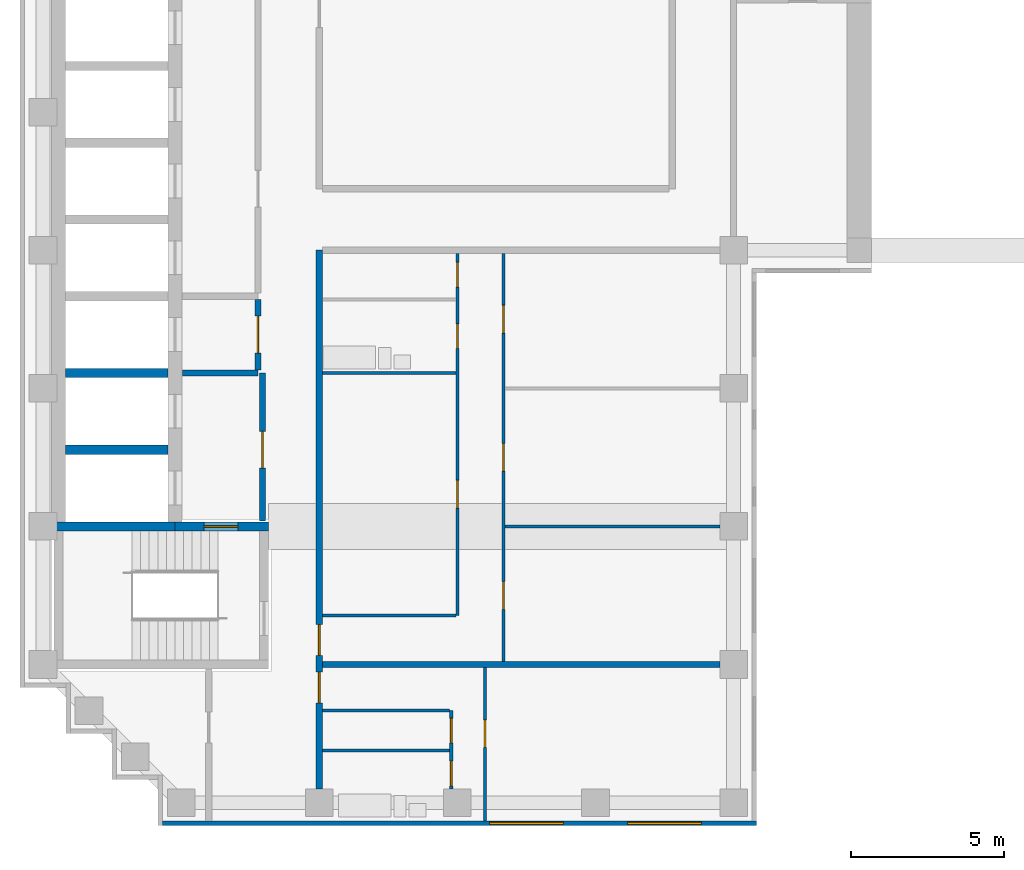
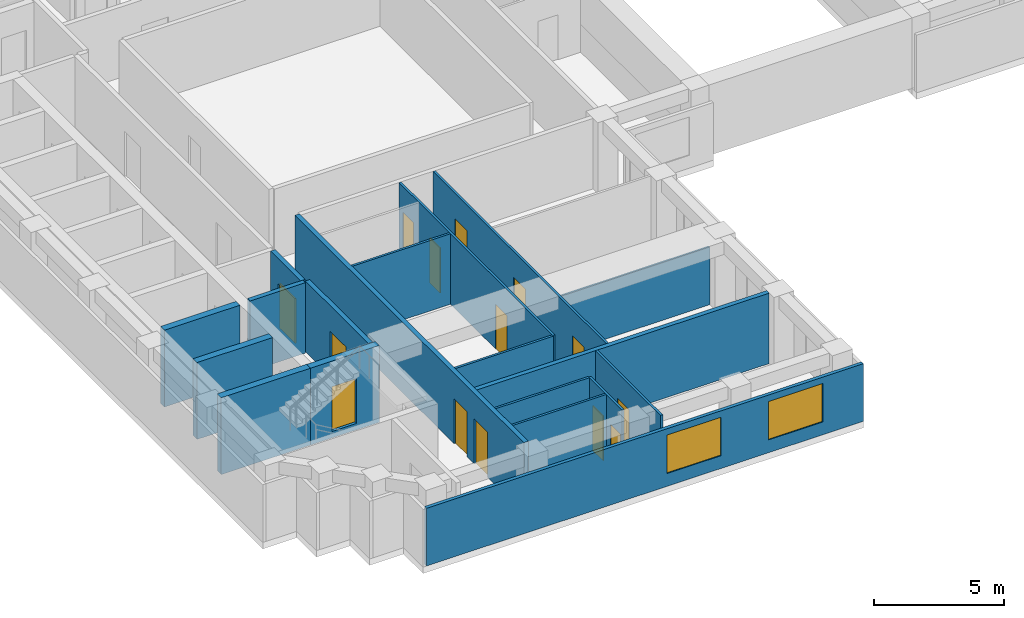
# One storey, part 2 of 7: 19 walls, 14 doors, 2 windows, 16 openings.
"""IFC4 building model written with IfcOpenShell, lengths in metres."""

from ifc_helpers import new_model, si_unit, direction, frame, frame_2d, origin, place, context, subcontext, project, spatial, rectangle, extrude, material, layer, layer_set, type_object, element, fill, save


model = new_model("IFC4")

# Units and contexts
model_context = context("Model", 3, precision=1e-05, world=origin(), true_north=direction((0.0, 1.0)))
body_context = subcontext(model_context, "Body", "Model", "MODEL_VIEW")
ifc_project = project(units=[si_unit("LENGTHUNIT", "METRE"), si_unit("AREAUNIT", "SQUARE_METRE"), si_unit("VOLUMEUNIT", "CUBIC_METRE"), si_unit("PLANEANGLEUNIT", "RADIAN"), si_unit("MASSUNIT", "GRAM", prefix="KILO")], contexts=[model_context])

# Site, building, storey
site_placement = place(None, origin())
site = spatial("IfcSite", under=ifc_project, at=site_placement, CompositionType="ELEMENT")
building_placement = place(site_placement, origin())
building = spatial("IfcBuilding", under=site, at=building_placement, Name="Firuza Court", CompositionType="ELEMENT")
storey_placement = place(building_placement, frame((0.0, 0.0, 247.39990234375)))
storey = spatial("IfcBuildingStorey", under=building, at=storey_placement, Name="L64", CompositionType="ELEMENT", Elevation=247.39990234375)

# Walls
ifc_material_1 = material(Name="Moisture-resistant gypsum board partition")
ifc_layer_1 = layer(ifc_material_1, 0.10009765625)
ifc_layer_set_1 = layer_set([ifc_layer_1], Name="Moisture-resistant gypsum board partition")
wall_type_1 = type_object("IfcWallType", Name="Bathroom partition 100", PredefinedType="PLUMBINGWALL", material=ifc_layer_set_1)
wall_1_placement = place(storey_placement, frame((9.10009765625, 19.699951171875, 0.0), z_axis=(0.0, 0.0, 1.0), x_axis=(1.0, 0.0, 0.0)))
element("IfcWall", 1, at=wall_1_placement, inside=storey, type_object=wall_type_1, Name="Bathroom partition 100 L64", PredefinedType="PLUMBINGWALL", context=body_context, shape_type="SweptSolid", body=[
    extrude(rectangle(XDim=4.14990234375, YDim=0.10009765625, at=frame_2d((2.074951171875, 0.0))), origin(), (0.0, 0.0, 1.0), 3.300048828125),
])
wall_2_placement = place(storey_placement, frame((9.10009765625, 32.0, 0.0), z_axis=(0.0, 0.0, 1.0), x_axis=(1.0, 0.0, 0.0)))
element("IfcWall", 2, at=wall_2_placement, inside=storey, type_object=wall_type_1, Name="Bathroom partition 100 L64", PredefinedType="PLUMBINGWALL", context=body_context, shape_type="SweptSolid", body=[
    extrude(rectangle(XDim=4.349853515625, YDim=0.10009765625, at=frame_2d((2.1748046875, 0.0))), origin(), (0.0, 0.0, 1.0), 3.300048828125),
])
ifc_material_2 = material(Name="Concrete C50/60", Category="concrete")
ifc_layer_2 = layer(ifc_material_2, 0.300048828125)
ifc_layer_set_2 = layer_set([ifc_layer_2], Name="Concrete C50/60")
wall_type_2 = type_object("IfcWallType", Name="Core wall 300 C50/60", PredefinedType="SHEAR", material=ifc_layer_set_2)
wall_3_placement = place(storey_placement, frame((0.35009765625, 27.0, -0.2998046875), z_axis=(0.0, 0.0, 1.0), x_axis=(1.0, 0.0, 0.0)))
element("IfcWall", 3, at=wall_3_placement, inside=storey, type_object=wall_type_2, Name="Core wall lift shaft L64", PredefinedType="SHEAR", context=body_context, shape_type="SweptSolid", body=[
    extrude(rectangle(XDim=3.949951171875, YDim=0.300048828125, at=frame_2d((1.97509765625, 0.0))), origin(), (0.0, 0.0, 1.0), 3.599853515625),
])
for number, where, z_axis, x_axis, name in (
    (4, (0.72509765625, 29.5, -0.2998046875), (0.0, 0.0, 1.0), (1.0, 0.0, 0.0), "Core wall lift shaft L64"),
    (5, (0.72509765625, 32.0, -0.2998046875), (0.0, 0.0, 1.0), (1.0, 0.0, 0.0), "Core wall lift shaft L64"),
):
    element("IfcWall", number, at=place(storey_placement, frame(where, z_axis=z_axis, x_axis=x_axis)), inside=storey, type_object=wall_type_2, Name=name, PredefinedType="SHEAR", context=body_context, shape_type="SweptSolid", body=[
        extrude(rectangle(XDim=3.349853515625, YDim=0.300048828125, at=frame_2d((1.6748046875, 0.0))), origin(), (0.0, 0.0, 1.0), 3.599853515625),
    ])

# Wall, opening, door
wall_4_placement = place(storey_placement, frame((4.300048828125, 27.0, -0.2998046875), z_axis=(0.0, 0.0, 1.0), x_axis=(1.0, 0.0, 0.0)))
wall_4 = element("IfcWall", 6, at=wall_4_placement, inside=storey, type_object=wall_type_2, Name="Core wall stair L64", PredefinedType="SHEAR", context=body_context, shape_type="SweptSolid", body=[
    extrude(rectangle(XDim=3.050048828125, YDim=0.300048828125, at=frame_2d((1.52490234375, 0.0))), origin(), (0.0, 0.0, 1.0), 3.599853515625),
])
opening_1_placement = place(wall_4_placement, frame((0.949951171875, 0.0, 0.300048828125)))
opening_1 = element("IfcOpeningElement", 7, at=opening_1_placement, cuts=wall_4, Name="Opening D64009", PredefinedType="OPENING", context=body_context, shape_type="SweptSolid", body=[
    extrude(rectangle(XDim=1.10009765625, YDim=2.10009765625, at=frame_2d((0.550048828125, 1.050048828125))), frame((0.0, 0.162109375, 0.0), z_axis=(0.0, -1.0, 0.0), x_axis=(1.0, 0.0, 0.0)), (0.0, 0.0, 1.0), 0.323974609375),
])
ifc_material_3 = material(Name="Timber door leaf in hardwood frame", Category="wood")
door_type_1 = type_object("IfcDoorType", Name="Stair door 1100", OperationType="SINGLE_SWING_LEFT", PredefinedType="DOOR", material=ifc_material_3)
door_1_placement = place(opening_1_placement, frame((1.10009765625, 0.0, 0.0), z_axis=(0.0, 0.0, 1.0), x_axis=(-1.0, 0.0, 0.0)))
door_1 = element("IfcDoor", 8, at=door_1_placement, inside=storey, type_object=door_type_1, Name="Fire-fighting lobby door", OperationType="SINGLE_SWING_LEFT", OverallHeight=2.10009765625, OverallWidth=1.10009765625, PredefinedType="DOOR", context=body_context, shape_type="SweptSolid", body=[
    extrude(rectangle(XDim=1.10009765625, YDim=2.10009765625, at=frame_2d((0.550048828125, 1.050048828125))), frame((0.0, 0.02490234375, 0.0), z_axis=(0.0, -1.0, 0.0), x_axis=(1.0, 0.0, 0.0)), (0.0, 0.0, 1.0), 0.050048828125),
])
fill(opening_1, door_1)

# Wall, openings, doors
ifc_material_4 = material(Name="Blockwork, plastered both sides", Category="masonry")
ifc_layer_3 = layer(ifc_material_4, 0.199951171875)
ifc_layer_set_3 = layer_set([ifc_layer_3], Name="Blockwork, plastered both sides")
wall_type_3 = type_object("IfcWallType", Name="Corridor wall 200", PredefinedType="PARTITIONING", material=ifc_layer_set_3)
wall_5_placement = place(storey_placement, frame((9.0, 18.449951171875, 0.0), z_axis=(0.0, 0.0, 1.0), x_axis=(0.0, 1.0, 0.0)))
wall_5 = element("IfcWall", 9, at=wall_5_placement, inside=storey, type_object=wall_type_3, Name="Corridor wall 200 L64", PredefinedType="PARTITIONING", context=body_context, shape_type="SweptSolid", body=[
    extrude(rectangle(XDim=17.550048828125, YDim=0.199951171875, at=frame_2d((8.77490234375, 0.0))), origin(), (0.0, 0.0, 1.0), 3.300048828125),
])
opening_2_placement = place(wall_5_placement, frame((4.35009765625, 0.0, 0.0)))
opening_2 = element("IfcOpeningElement", 10, at=opening_2_placement, cuts=wall_5, Name="Opening D64014", PredefinedType="OPENING", context=body_context, shape_type="SweptSolid", body=[
    extrude(rectangle(XDim=1.0, YDim=2.10009765625, at=frame_2d((0.5, 1.050048828125))), frame((0.0, 0.11181640625, 0.0), z_axis=(0.0, -1.0, 0.0), x_axis=(1.0, 0.0, 0.0)), (0.0, 0.0, 1.0), 0.223876953125),
])
opening_3_placement = place(wall_5_placement, frame((2.800048828125, 0.0, 0.0)))
opening_3 = element("IfcOpeningElement", 11, at=opening_3_placement, cuts=wall_5, Name="Opening D64015", PredefinedType="OPENING", context=body_context, shape_type="SweptSolid", body=[
    extrude(rectangle(XDim=1.0, YDim=2.10009765625, at=frame_2d((0.5, 1.050048828125))), frame((0.0, 0.11181640625, 0.0), z_axis=(0.0, -1.0, 0.0), x_axis=(1.0, 0.0, 0.0)), (0.0, 0.0, 1.0), 0.223876953125),
])
ifc_material_5 = material(Name="Timber door leaf in hardwood frame", Category="wood")
door_type_2 = type_object("IfcDoorType", Name="Flat entrance door 1000", OperationType="SINGLE_SWING_LEFT", PredefinedType="DOOR", material=ifc_material_5)
door_2_placement = place(opening_2_placement, origin())
door_2 = element("IfcDoor", 12, at=door_2_placement, inside=storey, type_object=door_type_2, Name="Flat entrance door", OperationType="SINGLE_SWING_LEFT", OverallHeight=2.10009765625, OverallWidth=1.0, PredefinedType="DOOR", context=body_context, shape_type="SweptSolid", body=[
    extrude(rectangle(XDim=1.0, YDim=2.10009765625, at=frame_2d((0.5, 1.050048828125))), frame((0.0, 0.02490234375, 0.0), z_axis=(0.0, -1.0, 0.0), x_axis=(1.0, 0.0, 0.0)), (0.0, 0.0, 1.0), 0.050048828125),
])
fill(opening_2, door_2)
door_3_placement = place(opening_3_placement, origin())
door_3 = element("IfcDoor", 13, at=door_3_placement, inside=storey, type_object=door_type_2, Name="Flat entrance door", OperationType="SINGLE_SWING_LEFT", OverallHeight=2.10009765625, OverallWidth=1.0, PredefinedType="DOOR", context=body_context, shape_type="SweptSolid", body=[
    extrude(rectangle(XDim=1.0, YDim=2.10009765625, at=frame_2d((0.5, 1.050048828125))), frame((0.0, 0.02490234375, 0.0), z_axis=(0.0, -1.0, 0.0), x_axis=(1.0, 0.0, 0.0)), (0.0, 0.0, 1.0), 0.050048828125),
])
fill(opening_3, door_3)

# Wall, opening, door
ifc_material_6 = material(Name="Timber stud partition, plasterboard both sides", Category="wood")
ifc_layer_4 = layer(ifc_material_6, 0.10009765625)
ifc_layer_set_4 = layer_set([ifc_layer_4], Name="Timber stud partition, plasterboard both sides")
wall_type_4 = type_object("IfcWallType", Name="Partition wall 100", PredefinedType="PARTITIONING", material=ifc_layer_set_4)
wall_6_placement = place(storey_placement, frame((14.39990234375, 17.39990234375, 0.0), z_axis=(0.0, 0.0, 1.0), x_axis=(0.0, 1.0, 0.0)))
wall_6 = element("IfcWall", 14, at=wall_6_placement, inside=storey, type_object=wall_type_4, Name="Partition wall 100 L64", PredefinedType="PARTITIONING", context=body_context, shape_type="SweptSolid", body=[
    extrude(rectangle(XDim=5.0, YDim=0.10009765625, at=frame_2d((2.5, 0.0))), origin(), (0.0, 0.0, 1.0), 3.300048828125),
])
opening_4_placement = place(wall_6_placement, frame((2.39990234375, 0.0, 0.0)))
opening_4 = element("IfcOpeningElement", 15, at=opening_4_placement, cuts=wall_6, Name="Opening D64013", PredefinedType="OPENING", context=body_context, shape_type="SweptSolid", body=[
    extrude(rectangle(XDim=0.89990234375, YDim=2.10009765625, at=frame_2d((0.449951171875, 1.050048828125))), frame((0.0, 0.06201171875, 0.0), z_axis=(0.0, -1.0, 0.0), x_axis=(1.0, 0.0, 0.0)), (0.0, 0.0, 1.0), 0.1240234375),
])
ifc_material_7 = material(Name="Timber door leaf in hardwood frame", Category="wood")
door_type_3 = type_object("IfcDoorType", Name="Room door 900", OperationType="SINGLE_SWING_LEFT", PredefinedType="DOOR", material=ifc_material_7)
door_4_placement = place(opening_4_placement, frame((0.89990234375, 0.0, 0.0), z_axis=(0.0, 0.0, 1.0), x_axis=(-1.0, 0.0, 0.0)))
door_4 = element("IfcDoor", 16, at=door_4_placement, inside=storey, type_object=door_type_3, Name="Studio room door", OperationType="SINGLE_SWING_LEFT", OverallHeight=2.10009765625, OverallWidth=0.89990234375, PredefinedType="DOOR", context=body_context, shape_type="SweptSolid", body=[
    extrude(rectangle(XDim=0.89990234375, YDim=2.10009765625, at=frame_2d((0.449951171875, 1.050048828125))), frame((0.0, 0.02490234375, 0.0), z_axis=(0.0, -1.0, 0.0), x_axis=(1.0, 0.0, 0.0)), (0.0, 0.0, 1.0), 0.050048828125),
])
fill(opening_4, door_4)

# Wall, openings, doors
wall_7_placement = place(storey_placement, frame((13.300048828125, 18.449951171875, 0.0), z_axis=(0.0, 0.0, 1.0), x_axis=(0.0, 1.0, 0.0)))
wall_7 = element("IfcWall", 17, at=wall_7_placement, inside=storey, type_object=wall_type_4, Name="Partition wall 100 L64", PredefinedType="PARTITIONING", context=body_context, shape_type="SweptSolid", body=[
    extrude(rectangle(XDim=2.550048828125, YDim=0.10009765625, at=frame_2d((1.27490234375, 0.0))), origin(), (0.0, 0.0, 1.0), 3.300048828125),
])
opening_5_placement = place(wall_7_placement, frame((0.10009765625, 0.0, 0.0)))
opening_5 = element("IfcOpeningElement", 18, at=opening_5_placement, cuts=wall_7, Name="Opening D64016", PredefinedType="OPENING", context=body_context, shape_type="SweptSolid", body=[
    extrude(rectangle(XDim=0.800048828125, YDim=2.10009765625, at=frame_2d((0.39990234375, 1.050048828125))), frame((0.0, 0.06201171875, 0.0), z_axis=(0.0, -1.0, 0.0), x_axis=(1.0, 0.0, 0.0)), (0.0, 0.0, 1.0), 0.1240234375),
])
opening_6_placement = place(wall_7_placement, frame((1.5, 0.0, 0.0)))
opening_6 = element("IfcOpeningElement", 19, at=opening_6_placement, cuts=wall_7, Name="Opening D64017", PredefinedType="OPENING", context=body_context, shape_type="SweptSolid", body=[
    extrude(rectangle(XDim=0.800048828125, YDim=2.10009765625, at=frame_2d((0.39990234375, 1.050048828125))), frame((0.0, 0.06201171875, 0.0), z_axis=(0.0, -1.0, 0.0), x_axis=(1.0, 0.0, 0.0)), (0.0, 0.0, 1.0), 0.1240234375),
])
ifc_material_8 = material(Name="Timber door leaf in hardwood frame", Category="wood")
door_type_4 = type_object("IfcDoorType", Name="Bathroom door 800", OperationType="SINGLE_SWING_LEFT", PredefinedType="DOOR", material=ifc_material_8)
door_5_placement = place(opening_5_placement, origin())
door_5 = element("IfcDoor", 20, at=door_5_placement, inside=storey, type_object=door_type_4, Name="Bathroom door", OperationType="SINGLE_SWING_LEFT", OverallHeight=2.10009765625, OverallWidth=0.800048828125, PredefinedType="DOOR", context=body_context, shape_type="SweptSolid", body=[
    extrude(rectangle(XDim=0.800048828125, YDim=2.10009765625, at=frame_2d((0.39990234375, 1.050048828125))), frame((0.0, 0.02490234375, 0.0), z_axis=(0.0, -1.0, 0.0), x_axis=(1.0, 0.0, 0.0)), (0.0, 0.0, 1.0), 0.050048828125),
])
fill(opening_5, door_5)
ifc_material_9 = material(Name="Timber door leaf in hardwood frame", Category="wood")
door_type_5 = type_object("IfcDoorType", Name="Room door 800", OperationType="SINGLE_SWING_LEFT", PredefinedType="DOOR", material=ifc_material_9)
door_6_placement = place(opening_6_placement, origin())
door_6 = element("IfcDoor", 21, at=door_6_placement, inside=storey, type_object=door_type_5, Name="Kitchen door", OperationType="SINGLE_SWING_LEFT", OverallHeight=2.10009765625, OverallWidth=0.800048828125, PredefinedType="DOOR", context=body_context, shape_type="SweptSolid", body=[
    extrude(rectangle(XDim=0.800048828125, YDim=2.10009765625, at=frame_2d((0.39990234375, 1.050048828125))), frame((0.0, 0.02490234375, 0.0), z_axis=(0.0, -1.0, 0.0), x_axis=(1.0, 0.0, 0.0)), (0.0, 0.0, 1.0), 0.050048828125),
])
fill(opening_6, door_6)

# Wall
wall_8_placement = place(storey_placement, frame((9.10009765625, 21.0, 0.0), z_axis=(0.0, 0.0, 1.0), x_axis=(1.0, 0.0, 0.0)))
element("IfcWall", 22, at=wall_8_placement, inside=storey, type_object=wall_type_4, Name="Partition wall 100 L64", PredefinedType="PARTITIONING", context=body_context, shape_type="SweptSolid", body=[
    extrude(rectangle(XDim=4.14990234375, YDim=0.10009765625, at=frame_2d((2.074951171875, 0.0))), origin(), (0.0, 0.0, 1.0), 3.300048828125),
])

# Wall, openings, doors
wall_9_placement = place(storey_placement, frame((15.0, 22.60009765625, 0.0), z_axis=(0.0, 0.0, 1.0), x_axis=(0.0, 1.0, 0.0)))
wall_9 = element("IfcWall", 23, at=wall_9_placement, inside=storey, type_object=wall_type_4, Name="Partition wall 100 L64", PredefinedType="PARTITIONING", context=body_context, shape_type="SweptSolid", body=[
    extrude(rectangle(XDim=13.2998046875, YDim=0.10009765625, at=frame_2d((6.64990234375, 0.0))), origin(), (0.0, 0.0, 1.0), 3.300048828125),
])
opening_7_placement = place(wall_9_placement, frame((1.699951171875, 0.0, 0.0)))
opening_7 = element("IfcOpeningElement", 24, at=opening_7_placement, cuts=wall_9, Name="Opening D64018", PredefinedType="OPENING", context=body_context, shape_type="SweptSolid", body=[
    extrude(rectangle(XDim=0.89990234375, YDim=2.10009765625, at=frame_2d((0.449951171875, 1.050048828125))), frame((0.0, 0.06201171875, 0.0), z_axis=(0.0, -1.0, 0.0), x_axis=(1.0, 0.0, 0.0)), (0.0, 0.0, 1.0), 0.1240234375),
])
opening_8_placement = place(wall_9_placement, frame((6.199951171875, 0.0, 0.0)))
opening_8 = element("IfcOpeningElement", 25, at=opening_8_placement, cuts=wall_9, Name="Opening D64019", PredefinedType="OPENING", context=body_context, shape_type="SweptSolid", body=[
    extrude(rectangle(XDim=0.89990234375, YDim=2.10009765625, at=frame_2d((0.449951171875, 1.050048828125))), frame((0.0, 0.06201171875, 0.0), z_axis=(0.0, -1.0, 0.0), x_axis=(1.0, 0.0, 0.0)), (0.0, 0.0, 1.0), 0.1240234375),
])
opening_9_placement = place(wall_9_placement, frame((10.699951171875, 0.0, 0.0)))
opening_9 = element("IfcOpeningElement", 26, at=opening_9_placement, cuts=wall_9, Name="Opening D64020", PredefinedType="OPENING", context=body_context, shape_type="SweptSolid", body=[
    extrude(rectangle(XDim=0.89990234375, YDim=2.10009765625, at=frame_2d((0.449951171875, 1.050048828125))), frame((0.0, 0.06201171875, 0.0), z_axis=(0.0, -1.0, 0.0), x_axis=(1.0, 0.0, 0.0)), (0.0, 0.0, 1.0), 0.1240234375),
])
door_7_placement = place(opening_7_placement, frame((0.89990234375, 0.0, 0.0), z_axis=(0.0, 0.0, 1.0), x_axis=(-1.0, 0.0, 0.0)))
door_7 = element("IfcDoor", 27, at=door_7_placement, inside=storey, type_object=door_type_3, Name="Living room door", OperationType="SINGLE_SWING_RIGHT", OverallHeight=2.10009765625, OverallWidth=0.89990234375, PredefinedType="DOOR", context=body_context, shape_type="SweptSolid", body=[
    extrude(rectangle(XDim=0.89990234375, YDim=2.10009765625, at=frame_2d((0.449951171875, 1.050048828125))), frame((0.0, 0.02490234375, 0.0), z_axis=(0.0, -1.0, 0.0), x_axis=(1.0, 0.0, 0.0)), (0.0, 0.0, 1.0), 0.050048828125),
])
fill(opening_7, door_7)
door_8_placement = place(opening_8_placement, frame((0.89990234375, 0.0, 0.0), z_axis=(0.0, 0.0, 1.0), x_axis=(-1.0, 0.0, 0.0)))
door_8 = element("IfcDoor", 28, at=door_8_placement, inside=storey, type_object=door_type_3, Name="Bedroom door", OperationType="SINGLE_SWING_RIGHT", OverallHeight=2.10009765625, OverallWidth=0.89990234375, PredefinedType="DOOR", context=body_context, shape_type="SweptSolid", body=[
    extrude(rectangle(XDim=0.89990234375, YDim=2.10009765625, at=frame_2d((0.449951171875, 1.050048828125))), frame((0.0, 0.02490234375, 0.0), z_axis=(0.0, -1.0, 0.0), x_axis=(1.0, 0.0, 0.0)), (0.0, 0.0, 1.0), 0.050048828125),
])
fill(opening_8, door_8)
door_9_placement = place(opening_9_placement, frame((0.89990234375, 0.0, 0.0), z_axis=(0.0, 0.0, 1.0), x_axis=(-1.0, 0.0, 0.0)))
door_9 = element("IfcDoor", 29, at=door_9_placement, inside=storey, type_object=door_type_3, Name="Bedroom door", OperationType="SINGLE_SWING_RIGHT", OverallHeight=2.10009765625, OverallWidth=0.89990234375, PredefinedType="DOOR", context=body_context, shape_type="SweptSolid", body=[
    extrude(rectangle(XDim=0.89990234375, YDim=2.10009765625, at=frame_2d((0.449951171875, 1.050048828125))), frame((0.0, 0.02490234375, 0.0), z_axis=(0.0, -1.0, 0.0), x_axis=(1.0, 0.0, 0.0)), (0.0, 0.0, 1.0), 0.050048828125),
])
fill(opening_9, door_9)

# Wall
wall_10_placement = place(storey_placement, frame((9.10009765625, 24.10009765625, 0.0), z_axis=(0.0, 0.0, 1.0), x_axis=(1.0, 0.0, 0.0)))
element("IfcWall", 30, at=wall_10_placement, inside=storey, type_object=wall_type_4, Name="Partition wall 100 L64", PredefinedType="PARTITIONING", context=body_context, shape_type="SweptSolid", body=[
    extrude(rectangle(XDim=4.349853515625, YDim=0.10009765625, at=frame_2d((2.1748046875, 0.0))), origin(), (0.0, 0.0, 1.0), 3.300048828125),
])

# Wall, openings, doors
wall_11_placement = place(storey_placement, frame((13.5, 24.10009765625, 0.0), z_axis=(0.0, 0.0, 1.0), x_axis=(0.0, 1.0, 0.0)))
wall_11 = element("IfcWall", 31, at=wall_11_placement, inside=storey, type_object=wall_type_4, Name="Partition wall 100 L64", PredefinedType="PARTITIONING", context=body_context, shape_type="SweptSolid", body=[
    extrude(rectangle(XDim=11.7998046875, YDim=0.10009765625, at=frame_2d((5.89990234375, 0.0))), origin(), (0.0, 0.0, 1.0), 3.300048828125),
])
opening_10_placement = place(wall_11_placement, frame((8.699951171875, 0.0, 0.0)))
opening_10 = element("IfcOpeningElement", 32, at=opening_10_placement, cuts=wall_11, Name="Opening D64021", PredefinedType="OPENING", context=body_context, shape_type="SweptSolid", body=[
    extrude(rectangle(XDim=0.800048828125, YDim=2.10009765625, at=frame_2d((0.39990234375, 1.050048828125))), frame((0.0, 0.06201171875, 0.0), z_axis=(0.0, -1.0, 0.0), x_axis=(1.0, 0.0, 0.0)), (0.0, 0.0, 1.0), 0.1240234375),
])
opening_11_placement = place(wall_11_placement, frame((3.5, 0.0, 0.0)))
opening_11 = element("IfcOpeningElement", 33, at=opening_11_placement, cuts=wall_11, Name="Opening D64022", PredefinedType="OPENING", context=body_context, shape_type="SweptSolid", body=[
    extrude(rectangle(XDim=0.89990234375, YDim=2.10009765625, at=frame_2d((0.449951171875, 1.050048828125))), frame((0.0, 0.06201171875, 0.0), z_axis=(0.0, -1.0, 0.0), x_axis=(1.0, 0.0, 0.0)), (0.0, 0.0, 1.0), 0.1240234375),
])
opening_12_placement = place(wall_11_placement, frame((10.699951171875, 0.0, 0.0)))
opening_12 = element("IfcOpeningElement", 34, at=opening_12_placement, cuts=wall_11, Name="Opening D64023", PredefinedType="OPENING", context=body_context, shape_type="SweptSolid", body=[
    extrude(rectangle(XDim=0.800048828125, YDim=2.10009765625, at=frame_2d((0.39990234375, 1.050048828125))), frame((0.0, 0.06201171875, 0.0), z_axis=(0.0, -1.0, 0.0), x_axis=(1.0, 0.0, 0.0)), (0.0, 0.0, 1.0), 0.1240234375),
])
door_10_placement = place(opening_10_placement, origin())
door_10 = element("IfcDoor", 35, at=door_10_placement, inside=storey, type_object=door_type_4, Name="Bathroom door", OperationType="SINGLE_SWING_LEFT", OverallHeight=2.10009765625, OverallWidth=0.800048828125, PredefinedType="DOOR", context=body_context, shape_type="SweptSolid", body=[
    extrude(rectangle(XDim=0.800048828125, YDim=2.10009765625, at=frame_2d((0.39990234375, 1.050048828125))), frame((0.0, 0.02490234375, 0.0), z_axis=(0.0, -1.0, 0.0), x_axis=(1.0, 0.0, 0.0)), (0.0, 0.0, 1.0), 0.050048828125),
])
fill(opening_10, door_10)
door_11_placement = place(opening_12_placement, origin())
door_11 = element("IfcDoor", 36, at=door_11_placement, inside=storey, type_object=door_type_5, Name="Store door", OperationType="SINGLE_SWING_LEFT", OverallHeight=2.10009765625, OverallWidth=0.800048828125, PredefinedType="DOOR", context=body_context, shape_type="SweptSolid", body=[
    extrude(rectangle(XDim=0.800048828125, YDim=2.10009765625, at=frame_2d((0.39990234375, 1.050048828125))), frame((0.0, 0.02490234375, 0.0), z_axis=(0.0, -1.0, 0.0), x_axis=(1.0, 0.0, 0.0)), (0.0, 0.0, 1.0), 0.050048828125),
])
fill(opening_12, door_11)
door_12_placement = place(opening_11_placement, origin())
door_12 = element("IfcDoor", 37, at=door_12_placement, inside=storey, type_object=door_type_3, Name="Kitchen door", OperationType="SINGLE_SWING_LEFT", OverallHeight=2.10009765625, OverallWidth=0.89990234375, PredefinedType="DOOR", context=body_context, shape_type="SweptSolid", body=[
    extrude(rectangle(XDim=0.89990234375, YDim=2.10009765625, at=frame_2d((0.449951171875, 1.050048828125))), frame((0.0, 0.02490234375, 0.0), z_axis=(0.0, -1.0, 0.0), x_axis=(1.0, 0.0, 0.0)), (0.0, 0.0, 1.0), 0.050048828125),
])
fill(opening_11, door_12)

# Walls
wall_12_placement = place(storey_placement, frame((15.050048828125, 27.0, 0.0), z_axis=(0.0, 0.0, 1.0), x_axis=(1.0, 0.0, 0.0)))
element("IfcWall", 38, at=wall_12_placement, inside=storey, type_object=wall_type_4, Name="Partition wall 100 L64", PredefinedType="PARTITIONING", context=body_context, shape_type="SweptSolid", body=[
    extrude(rectangle(XDim=7.0, YDim=0.10009765625, at=frame_2d((3.5, 0.0))), origin(), (0.0, 0.0, 1.0), 2.7001953125),
])
ifc_layer_5 = layer(ifc_material_4, 0.199951171875)
ifc_layer_set_5 = layer_set([ifc_layer_5], Name="Blockwork, plastered both sides")
wall_type_5 = type_object("IfcWallType", Name="Party wall 200", PredefinedType="PARTITIONING", material=ifc_layer_set_5)
wall_13_placement = place(storey_placement, frame((9.10009765625, 22.5, 0.0), z_axis=(0.0, 0.0, 1.0), x_axis=(1.0, 0.0, 0.0)))
element("IfcWall", 39, at=wall_13_placement, inside=storey, type_object=wall_type_5, Name="Party wall 200 L64", PredefinedType="PARTITIONING", context=body_context, shape_type="SweptSolid", body=[
    extrude(rectangle(XDim=12.949951171875, YDim=0.199951171875, at=frame_2d((6.47509765625, 0.0))), origin(), (0.0, 0.0, 1.0), 3.300048828125),
])

# Wall, openings, windows
ifc_material_10 = material(Name="Ceramic tile", Category="ceramic")
ifc_layer_6 = layer(ifc_material_10, 0.02001953125)
ifc_material_11 = material(Name="Mineral wool insulation", Category="insulation")
ifc_layer_7 = layer(ifc_material_11, 0.050048828125)
ifc_material_12 = material(Name="Concrete C40/50 precast", Category="concrete")
ifc_layer_8 = layer(ifc_material_12, 0.080078125)
ifc_layer_set_6 = layer_set([ifc_layer_6, ifc_layer_7, ifc_layer_8], Name="Concrete C40/50 precast")
wall_type_6 = type_object("IfcWallType", Name="Precast cladding wall with turquoise TILE PANEL face 150", PredefinedType="STANDARD", material=ifc_layer_set_6)
wall_14_placement = place(storey_placement, frame((3.89990234375, 17.324951171875, 0.0), z_axis=(0.0, 0.0, 1.0), x_axis=(1.0, 0.0, 0.0)))
wall_14 = element("IfcWall", 40, at=wall_14_placement, inside=storey, type_object=wall_type_6, Name="Facade wall L64 S", PredefinedType="STANDARD", context=body_context, shape_type="SweptSolid", body=[
    extrude(rectangle(XDim=19.35009765625, YDim=0.14990234375, at=frame_2d((9.675048828125, 0.0))), origin(), (0.0, 0.0, 1.0), 2.7001953125),
])
opening_13_placement = place(wall_14_placement, frame((10.64990234375, 0.0, 0.60009765625)))
opening_13 = element("IfcOpeningElement", 41, at=opening_13_placement, cuts=wall_14, Name="Opening W1", PredefinedType="OPENING", context=body_context, shape_type="SweptSolid", body=[
    extrude(rectangle(XDim=2.39990234375, YDim=1.800048828125, at=frame_2d((1.199951171875, 0.89990234375))), frame((0.0, 0.0869140625, 0.0), z_axis=(0.0, -1.0, 0.0), x_axis=(1.0, 0.0, 0.0)), (0.0, 0.0, 1.0), 0.173828125),
])
opening_14_placement = place(wall_14_placement, frame((15.14990234375, 0.0, 0.60009765625)))
opening_14 = element("IfcOpeningElement", 42, at=opening_14_placement, cuts=wall_14, Name="Opening W1", PredefinedType="OPENING", context=body_context, shape_type="SweptSolid", body=[
    extrude(rectangle(XDim=2.39990234375, YDim=1.800048828125, at=frame_2d((1.199951171875, 0.89990234375))), frame((0.0, 0.0869140625, 0.0), z_axis=(0.0, -1.0, 0.0), x_axis=(1.0, 0.0, 0.0)), (0.0, 0.0, 1.0), 0.173828125),
])
ifc_material_13 = material(Name="Aluminium frame, triple clear glazing", Category="aluminium")
window_type = type_object("IfcWindowType", Name="Window W1 2400 x 1800", PartitioningType="SINGLE_PANEL", PredefinedType="WINDOW", material=ifc_material_13)
window_1_placement = place(opening_13_placement, origin())
window_1 = element("IfcWindow", 43, at=window_1_placement, inside=storey, type_object=window_type, Name="Window L64", OverallHeight=1.800048828125, OverallWidth=2.39990234375, PartitioningType="SINGLE_PANEL", PredefinedType="WINDOW", context=body_context, shape_type="SweptSolid", body=[
    extrude(rectangle(XDim=2.39990234375, YDim=1.800048828125, at=frame_2d((1.199951171875, 0.89990234375))), frame((0.0, 0.030029296875, 0.0), z_axis=(0.0, -1.0, 0.0), x_axis=(1.0, 0.0, 0.0)), (0.0, 0.0, 1.0), 0.06005859375),
])
fill(opening_13, window_1)
window_2_placement = place(opening_14_placement, origin())
window_2 = element("IfcWindow", 44, at=window_2_placement, inside=storey, type_object=window_type, Name="Window L64", OverallHeight=1.800048828125, OverallWidth=2.39990234375, PartitioningType="SINGLE_PANEL", PredefinedType="WINDOW", context=body_context, shape_type="SweptSolid", body=[
    extrude(rectangle(XDim=2.39990234375, YDim=1.800048828125, at=frame_2d((1.199951171875, 0.89990234375))), frame((0.0, 0.030029296875, 0.0), z_axis=(0.0, -1.0, 0.0), x_axis=(1.0, 0.0, 0.0)), (0.0, 0.0, 1.0), 0.06005859375),
])
fill(opening_14, window_2)

# Wall
ifc_material_14 = material(Name="Blockwork, fire-rated", Category="masonry")
ifc_layer_9 = layer(ifc_material_14, 0.199951171875)
ifc_layer_set_7 = layer_set([ifc_layer_9], Name="Blockwork, fire-rated")
wall_type_7 = type_object("IfcWallType", Name="Shaft wall 200", PredefinedType="PARTITIONING", material=ifc_layer_set_7)
wall_15_placement = place(storey_placement, frame((4.544921875, 32.0, 0.0), z_axis=(0.0, 0.0, 1.0), x_axis=(1.0, 0.0, 0.0)))
element("IfcWall", 45, at=wall_15_placement, inside=storey, type_object=wall_type_7, Name="Shaft wall 200 L64", PredefinedType="PARTITIONING", context=body_context, shape_type="SweptSolid", body=[
    extrude(rectangle(XDim=2.455078125, YDim=0.199951171875, at=frame_2d((1.2275390625, 0.0))), origin(), (0.0, 0.0, 1.0), 3.300048828125),
])

# Wall, opening, door
wall_16_placement = place(storey_placement, frame((7.0, 32.10009765625, 0.0), z_axis=(0.0, 0.0, 1.0), x_axis=(0.0, 1.0, 0.0)))
wall_16 = element("IfcWall", 46, at=wall_16_placement, inside=storey, type_object=wall_type_7, Name="Shaft wall 200 L64", PredefinedType="PARTITIONING", context=body_context, shape_type="SweptSolid", body=[
    extrude(rectangle(XDim=2.2998046875, YDim=0.199951171875, at=frame_2d((1.14990234375, 0.0))), origin(), (0.0, 0.0, 1.0), 3.300048828125),
])
opening_15_placement = place(wall_16_placement, frame((0.550048828125, 0.0, 0.0)))
opening_15 = element("IfcOpeningElement", 47, at=opening_15_placement, cuts=wall_16, Name="Opening D64007", PredefinedType="OPENING", context=body_context, shape_type="SweptSolid", body=[
    extrude(rectangle(XDim=1.199951171875, YDim=2.10009765625, at=frame_2d((0.60009765625, 1.050048828125))), frame((0.0, 0.11181640625, 0.0), z_axis=(0.0, -1.0, 0.0), x_axis=(1.0, 0.0, 0.0)), (0.0, 0.0, 1.0), 0.223876953125),
])
ifc_material_15 = material(Name="Timber door leaf in hardwood frame", Category="wood")
door_type_6 = type_object("IfcDoorType", Name="Lobby door 1200", OperationType="SINGLE_SWING_LEFT", PredefinedType="DOOR", material=ifc_material_15)
door_13_placement = place(opening_15_placement, origin())
door_13 = element("IfcDoor", 48, at=door_13_placement, inside=storey, type_object=door_type_6, Name="Lobby door", OperationType="SINGLE_SWING_LEFT", OverallHeight=2.10009765625, OverallWidth=1.199951171875, PredefinedType="DOOR", context=body_context, shape_type="SweptSolid", body=[
    extrude(rectangle(XDim=1.199951171875, YDim=2.10009765625, at=frame_2d((0.60009765625, 1.050048828125))), frame((0.0, 0.02490234375, 0.0), z_axis=(0.0, -1.0, 0.0), x_axis=(1.0, 0.0, 0.0)), (0.0, 0.0, 1.0), 0.050048828125),
])
fill(opening_15, door_13)

wall_17_placement = place(storey_placement, frame((7.14990234375, 27.169921875, 0.0), z_axis=(0.0, 0.0, 1.0), x_axis=(0.0, 1.0, 0.0)))
wall_17 = element("IfcWall", 49, at=wall_17_placement, inside=storey, type_object=wall_type_7, Name="Shaft wall 200 L64", PredefinedType="PARTITIONING", context=body_context, shape_type="SweptSolid", body=[
    extrude(rectangle(XDim=4.830078125, YDim=0.199951171875, at=frame_2d((2.4150390625, 0.0))), origin(), (0.0, 0.0, 1.0), 3.300048828125),
])
opening_16_placement = place(wall_17_placement, frame((1.72998046875, 0.0, 0.0)))
opening_16 = element("IfcOpeningElement", 50, at=opening_16_placement, cuts=wall_17, Name="Opening D64002", PredefinedType="OPENING", context=body_context, shape_type="SweptSolid", body=[
    extrude(rectangle(XDim=1.199951171875, YDim=2.10009765625, at=frame_2d((0.60009765625, 1.050048828125))), frame((0.0, 0.11181640625, 0.0), z_axis=(0.0, -1.0, 0.0), x_axis=(1.0, 0.0, 0.0)), (0.0, 0.0, 1.0), 0.223876953125),
])
door_14_placement = place(opening_16_placement, origin())
door_14 = element("IfcDoor", 51, at=door_14_placement, inside=storey, type_object=door_type_6, Name="Fire-fighting lobby door", OperationType="SINGLE_SWING_LEFT", OverallHeight=2.10009765625, OverallWidth=1.199951171875, PredefinedType="DOOR", context=body_context, shape_type="SweptSolid", body=[
    extrude(rectangle(XDim=1.199951171875, YDim=2.10009765625, at=frame_2d((0.60009765625, 1.050048828125))), frame((0.0, 0.02490234375, 0.0), z_axis=(0.0, -1.0, 0.0), x_axis=(1.0, 0.0, 0.0)), (0.0, 0.0, 1.0), 0.050048828125),
])
fill(opening_16, door_14)

save(model, "model.ifc")
